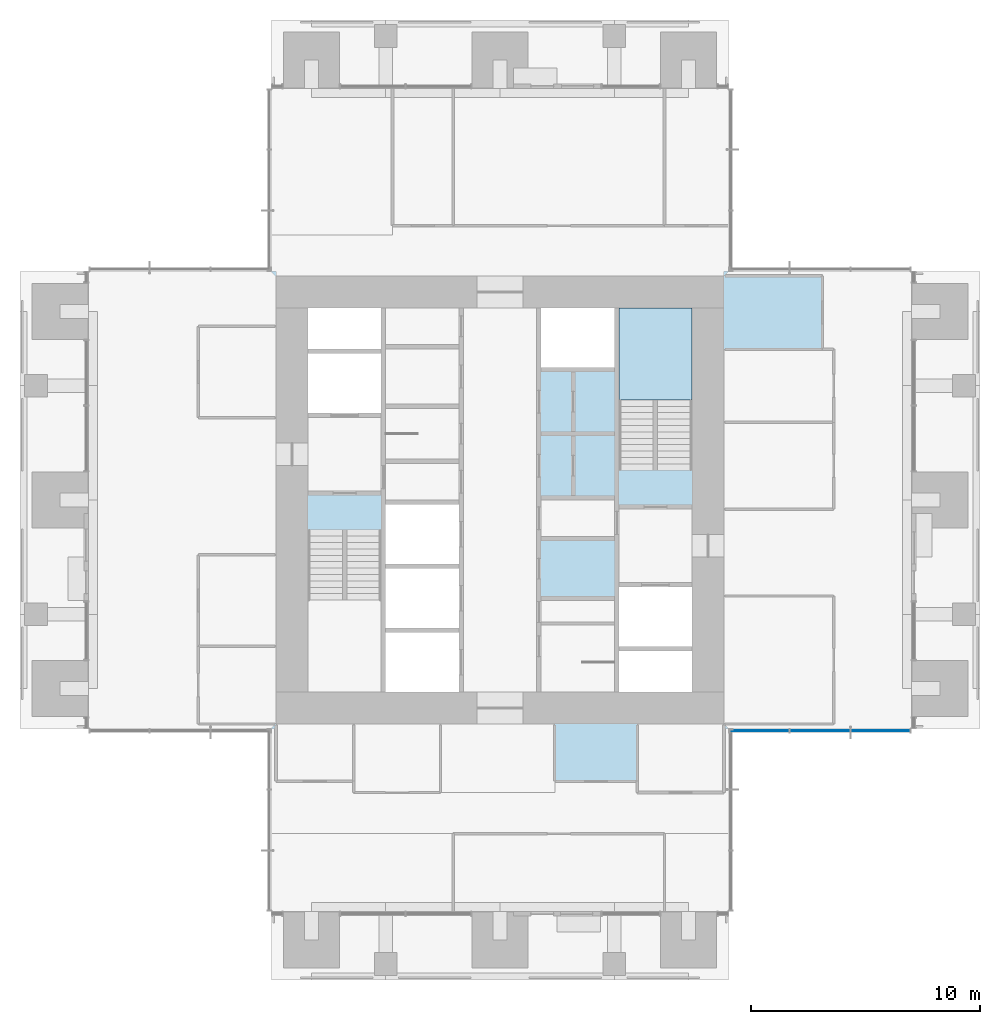
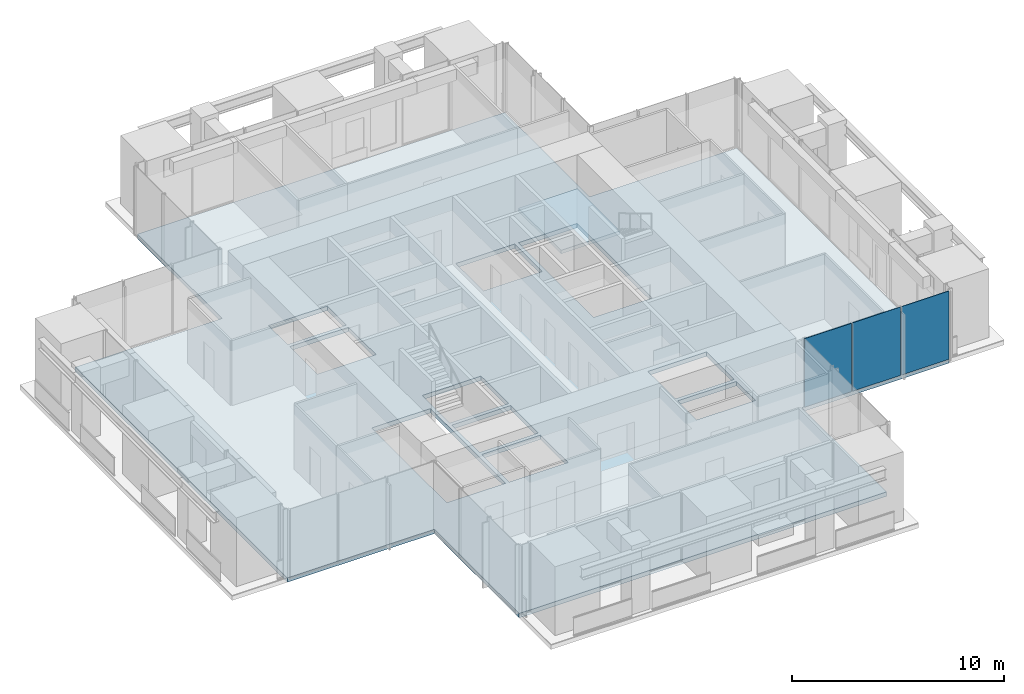
# One storey, part 9 of 17: 3 plates, 2 slabs, 2 elements without a shape of their own.
"""IFC4 building model written with IfcOpenShell, lengths in metres."""

from ifc_helpers import new_model, si_unit, direction, frame, origin, origin_2d, place, context, subcontext, project, spatial, polyline, rectangle, outline, extrude, material, layer, layer_set, type_object, element, aggregate, save


model = new_model("IFC4")

# Units and contexts
model_context = context("Model", 3, precision=1e-05, world=origin(), true_north=direction((0.0, 1.0)))
body_context = subcontext(model_context, "Body", "Model", "MODEL_VIEW")
ifc_project = project(units=[si_unit("LENGTHUNIT", "METRE"), si_unit("AREAUNIT", "SQUARE_METRE"), si_unit("VOLUMEUNIT", "CUBIC_METRE"), si_unit("PLANEANGLEUNIT", "RADIAN"), si_unit("MASSUNIT", "GRAM", prefix="KILO")], contexts=[model_context])

# Site, building, storey
site_placement = place(None, origin())
site = spatial("IfcSite", under=ifc_project, at=site_placement, CompositionType="ELEMENT")
building_placement = place(site_placement, origin())
building = spatial("IfcBuilding", under=site, at=building_placement, Name="Svetlomir Tower", CompositionType="ELEMENT")
storey_placement = place(building_placement, frame((0.0, 0.0, 194.5)))
storey = spatial("IfcBuildingStorey", under=building, at=storey_placement, Name="L46", CompositionType="ELEMENT", Elevation=194.5)

# Curtain wall, plates
ifc_material_1 = material(Name="Bronze anodised aluminium curtain wall", Category="aluminium")
curtain_wall_type = type_object("IfcCurtainWallType", Name="CURTAIN WALL CW1 TOWER OFFICE", PredefinedType="NOTDEFINED", material=ifc_material_1)
curtain_wall_placement = place(storey_placement, origin())
curtain_wall = element("IfcCurtainWall", 1, at=curtain_wall_placement, inside=storey, type_object=curtain_wall_type, Name="Curtain wall CW1 L46", PredefinedType="NOTDEFINED")
ifc_material_2 = material(Name="Tinted double glazed unit", Category="glass")
ifc_layer_1 = layer(ifc_material_2, 0.031982421875)
ifc_layer_set_1 = layer_set([ifc_layer_1], Name="Tinted double glazed unit")
plate_type = type_object("IfcPlateType", Name="CW1 GLAZED PANEL 32", PredefinedType="CURTAIN_PANEL", material=ifc_layer_set_1)
plate_1_placement = place(storey_placement, frame((32.349609375, 10.89990234375, 0.06494140625), z_axis=(0.0, 0.0, 1.0), x_axis=(1.0, 0.0, 0.0)))
plate_1 = element("IfcPlate", 2, at=plate_1_placement, type_object=plate_type, Name="CW1 panel 1.1", PredefinedType="CURTAIN_PANEL", context=body_context, shape_type="SweptSolid", body=[
    extrude(rectangle(XDim=2.569091796875, YDim=0.031982421875, at=origin_2d()), origin(), (0.0, 0.0, 1.0), 3.93505859375),
])
plate_2_placement = place(storey_placement, frame((35.0, 10.89990234375, 0.06494140625), z_axis=(0.0, 0.0, 1.0), x_axis=(1.0, 0.0, 0.0)))
plate_2 = element("IfcPlate", 3, at=plate_2_placement, type_object=plate_type, Name="CW1 panel 2.1", PredefinedType="CURTAIN_PANEL", context=body_context, shape_type="SweptSolid", body=[
    extrude(rectangle(XDim=2.6015625, YDim=0.031982421875, at=origin_2d()), origin(), (0.0, 0.0, 1.0), 3.93505859375),
])
plate_3_placement = place(storey_placement, frame((37.650390625, 10.89990234375, 0.06494140625), z_axis=(0.0, 0.0, 1.0), x_axis=(1.0, 0.0, 0.0)))
plate_3 = element("IfcPlate", 4, at=plate_3_placement, type_object=plate_type, Name="CW1 panel 3.1", PredefinedType="CURTAIN_PANEL", context=body_context, shape_type="SweptSolid", body=[
    extrude(rectangle(XDim=2.569091796875, YDim=0.031982421875, at=origin_2d()), origin(), (0.0, 0.0, 1.0), 3.93505859375),
])
aggregate(curtain_wall, [plate_1, plate_2, plate_3])

# Slab
ifc_material_3 = material(Name="Concrete C60/75", Category="concrete")
ifc_layer_2 = layer(ifc_material_3, 0.25)
ifc_layer_set_2 = layer_set([ifc_layer_2], Name="Concrete C60/75")
slab_type_1 = type_object("IfcSlabType", Name="FLOOR SLAB 250", PredefinedType="FLOOR", material=ifc_layer_set_2)
slab_1_placement = place(storey_placement, frame((0.0, 0.0, -0.25)))
element("IfcSlab", 5, at=slab_1_placement, inside=storey, type_object=slab_type_1, Name="L46 floor slab", PredefinedType="FLOOR", context=body_context, shape_type="SweptSolid", body=[
    extrude(outline(polyline([(11.0, 3.0), (31.0, 3.0), (31.0, 11.0), (39.0, 11.0), (39.0, 31.0), (31.0, 31.0), (31.0, 39.0), (11.0, 39.0), (11.0, 31.0), (3.0, 31.0), (3.0, 11.0), (11.0, 11.0), (11.0, 3.0)]), holes=[polyline([(12.60009765625, 24.800048828125), (15.800048828125, 24.800048828125), (15.800048828125, 27.39990234375), (12.60009765625, 27.39990234375), (12.60009765625, 24.800048828125)]), polyline([(26.199951171875, 14.60009765625), (29.39990234375, 14.60009765625), (29.39990234375, 17.199951171875), (26.199951171875, 17.199951171875), (26.199951171875, 14.60009765625)]), polyline([(16.0, 12.60009765625), (19.199951171875, 12.60009765625), (19.199951171875, 15.199951171875), (16.0, 15.199951171875), (16.0, 12.60009765625)]), polyline([(16.0, 15.39990234375), (19.199951171875, 15.39990234375), (19.199951171875, 18.0), (16.0, 18.0), (16.0, 15.39990234375)]), polyline([(16.0, 18.199951171875), (19.199951171875, 18.199951171875), (19.199951171875, 20.800048828125), (16.0, 20.800048828125), (16.0, 18.199951171875)]), polyline([(22.800048828125, 26.800048828125), (26.0, 26.800048828125), (26.0, 29.39990234375), (22.800048828125, 29.39990234375), (22.800048828125, 26.800048828125)]), polyline([(12.60009765625, 27.60009765625), (15.800048828125, 27.60009765625), (15.800048828125, 29.39990234375), (12.60009765625, 29.39990234375), (12.60009765625, 27.60009765625)]), polyline([(26.199951171875, 12.60009765625), (29.39990234375, 12.60009765625), (29.39990234375, 14.39990234375), (26.199951171875, 14.39990234375), (26.199951171875, 12.60009765625)]), polyline([(12.60009765625, 12.60009765625), (15.800048828125, 12.60009765625), (15.800048828125, 19.679931640625), (12.60009765625, 19.679931640625), (12.60009765625, 12.60009765625)]), polyline([(26.199951171875, 22.320068359375), (29.39990234375, 22.320068359375), (29.39990234375, 29.39990234375), (26.199951171875, 29.39990234375), (26.199951171875, 22.320068359375)])]), origin(), (0.0, 0.0, 1.0), 0.25),
])

# Stair, slab
ifc_material_4 = material(Name="Concrete C60/75", Category="concrete")
stair_type = type_object("IfcStairType", Name="EXIT STAIR 3200 RISE 4000", PredefinedType="HALF_TURN_STAIR", material=ifc_material_4)
stair_placement = place(storey_placement, origin())
stair = element("IfcStair", 6, at=stair_placement, inside=storey, type_object=stair_type, Name="Stair S2 L46 to L47", PredefinedType="HALF_TURN_STAIR")
ifc_material_5 = material(Name="Concrete C60/75", Category="concrete")
ifc_layer_3 = layer(ifc_material_5, 0.199951171875)
ifc_layer_set_3 = layer_set([ifc_layer_3], Name="Concrete C60/75")
slab_type_2 = type_object("IfcSlabType", Name="STAIR LANDING 200", PredefinedType="LANDING", material=ifc_layer_set_3)
slab_2_placement = place(storey_placement, frame((0.0, 0.0, 1.800048828125)))
slab_2 = element("IfcSlab", 7, at=slab_2_placement, type_object=slab_type_2, Name="S2 landing 1", PredefinedType="LANDING", context=body_context, shape_type="SweptSolid", body=[
    extrude(outline(polyline([(26.199951171875, 25.3798828125), (29.39990234375, 25.3798828125), (29.39990234375, 29.39990234375), (26.199951171875, 29.39990234375), (26.199951171875, 25.3798828125)])), origin(), (0.0, 0.0, 1.0), 0.199951171875),
])
aggregate(stair, [slab_2])

save(model, "model.ifc")
